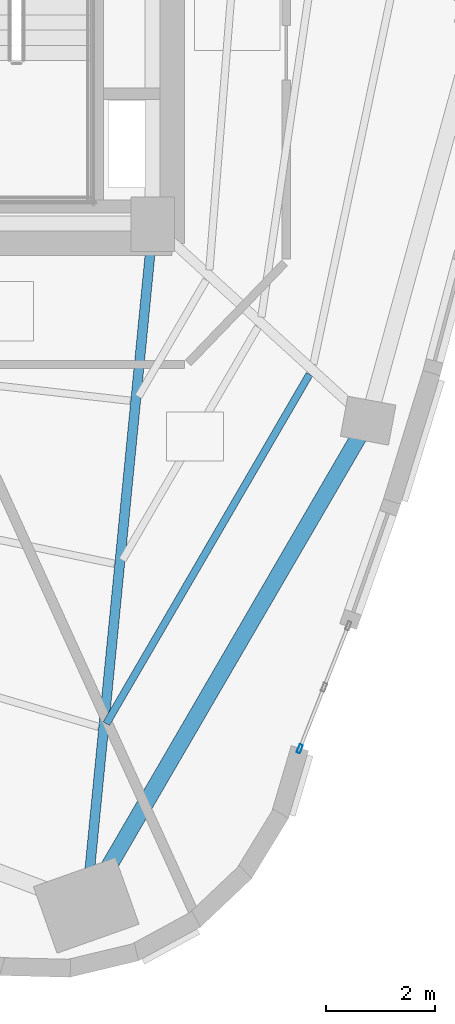
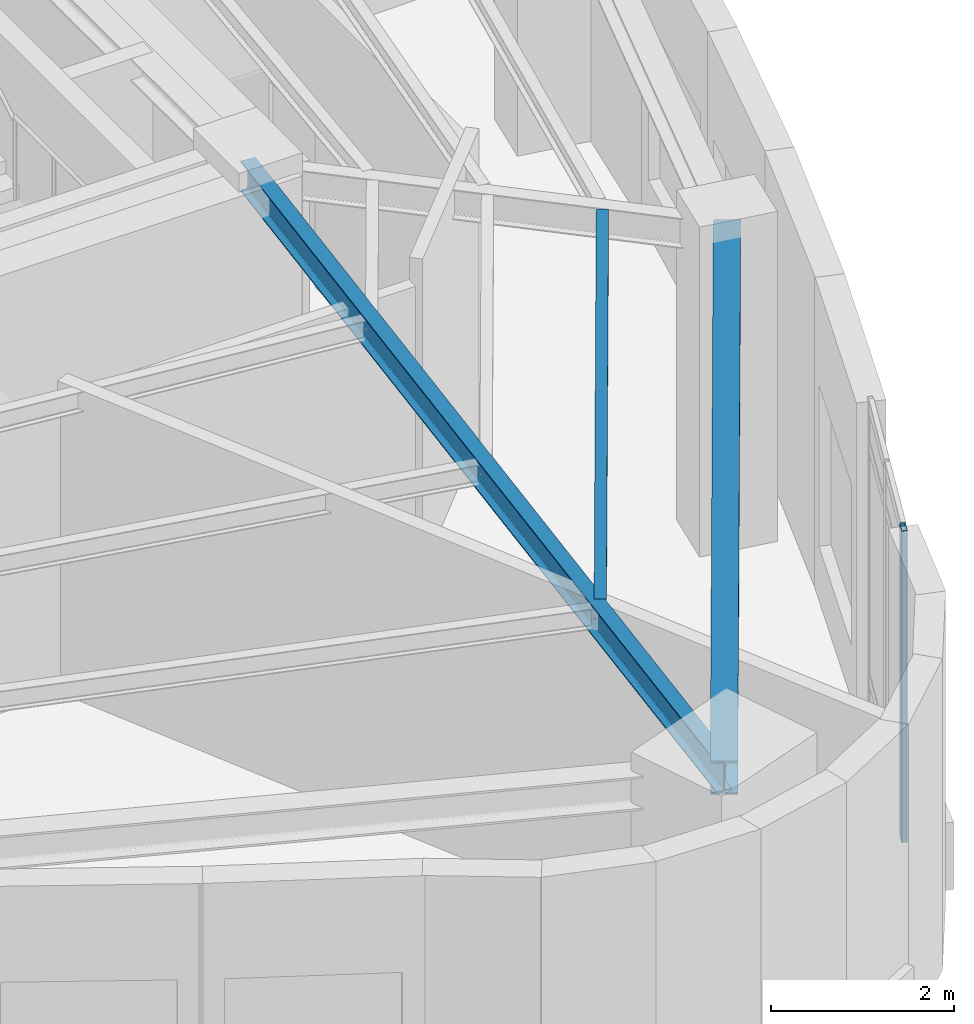
# One storey, part 2 of 13: 3 beams, 1 member, 1 element without a shape of its own.
"""IFC4 building model written with IfcOpenShell, lengths in metres."""

from ifc_helpers import new_model, si_unit, direction, frame, origin, origin_2d, place, context, subcontext, project, spatial, hollow_rectangle, i_section, extrude, material, layer, layer_set, material_profile, profile_set, type_object, element, aggregate, save


model = new_model("IFC4")

# Units and contexts
model_context = context("Model", 3, precision=1e-05, world=origin(), true_north=direction((0.0, 1.0)))
body_context = subcontext(model_context, "Body", "Model", "MODEL_VIEW")
ifc_project = project(units=[si_unit("LENGTHUNIT", "METRE"), si_unit("AREAUNIT", "SQUARE_METRE"), si_unit("VOLUMEUNIT", "CUBIC_METRE"), si_unit("PLANEANGLEUNIT", "RADIAN"), si_unit("MASSUNIT", "GRAM", prefix="KILO")], contexts=[model_context])

# Site, building, storey
site_placement = place(None, origin())
site = spatial("IfcSite", under=ifc_project, at=site_placement, CompositionType="ELEMENT")
building_placement = place(site_placement, origin())
building = spatial("IfcBuilding", under=site, at=building_placement, Name="Ndelora Gate Hotel", CompositionType="ELEMENT")
storey_placement = place(building_placement, frame((0.0, 0.0, 272.800048828125)))
storey = spatial("IfcBuildingStorey", under=building, at=storey_placement, Name="L68", CompositionType="ELEMENT", Elevation=272.800048828125)

# Beams
ifc_material_1 = material(Name="Steel S355", Category="steel")
ifc_material_profile_1 = material_profile(ifc_material_1, i_section(OverallWidth=0.135009765625, OverallDepth=0.27001953125, WebThickness=0.006591796875, FlangeThickness=0.01025390625, FilletRadius=0.014892578125, at=origin_2d()), Name="IPE 270")
ifc_profile_set_1 = profile_set([ifc_material_profile_1], Name="Steel S355")
beam_type_1 = type_object("IfcBeamType", Name="BM-JST-270", PredefinedType="JOIST", material=ifc_profile_set_1)
beam_1_placement = place(storey_placement, frame((7.14208984375, -15.78271484375, 4.014892578125), z_axis=(0.502744947519, 0.864434796699, 0.0), x_axis=(-0.864434796699, 0.502744947519, 0.0)))
element("IfcBeam", 1, at=beam_1_placement, inside=storey, type_object=beam_type_1, Name="L68 Secondary Composite Floor Joist OUT-5", PredefinedType="JOIST", context=body_context, shape_type="SweptSolid", body=[
    extrude(i_section(OverallWidth=0.135009765625, OverallDepth=0.27001953125, WebThickness=0.006591796875, FlangeThickness=0.01025390625, FilletRadius=0.014892578125, at=origin_2d()), origin(), (0.0, 0.0, 1.0), 7.430419921875),
])
ifc_material_profile_2 = material_profile(ifc_material_1, i_section(OverallWidth=0.179931640625, OverallDepth=0.39990234375, WebThickness=0.008544921875, FlangeThickness=0.013427734375, FilletRadius=0.02099609375, at=origin_2d()), Name="IPE 400")
ifc_profile_set_2 = profile_set([ifc_material_profile_2], Name="Steel S355")
beam_type_2 = type_object("IfcBeamType", Name="BM-RAD-400", PredefinedType="BEAM", material=ifc_profile_set_2)
beam_2_placement = place(storey_placement, frame((8.0, -6.60009765625, 3.949951171875), z_axis=(-0.097513783863, -0.995234174432, 0.0), x_axis=(0.995234174432, -0.097513783863, 0.0)))
element("IfcBeam", 2, at=beam_2_placement, inside=storey, type_object=beam_type_2, Name="L68 Radial Floor Girder 5", PredefinedType="BEAM", context=body_context, shape_type="SweptSolid", body=[
    extrude(i_section(OverallWidth=0.179931640625, OverallDepth=0.39990234375, WebThickness=0.008544921875, FlangeThickness=0.013427734375, FilletRadius=0.02099609375, at=origin_2d()), origin(), (0.0, 0.0, 1.0), 12.5859375),
])
ifc_material_profile_3 = material_profile(ifc_material_1, i_section(OverallWidth=0.300048828125, OverallDepth=0.449951171875, WebThickness=0.013916015625, FlangeThickness=0.02587890625, FilletRadius=0.027099609375, at=origin_2d()), Name="HEB 450")
ifc_profile_set_3 = profile_set([ifc_material_profile_3], Name="Steel S355")
beam_type_3 = type_object("IfcBeamType", Name="BM-RING-450", PredefinedType="SPANDREL", material=ifc_profile_set_3)
beam_3_placement = place(storey_placement, frame((6.772705078125, -19.1259765625, 3.925048828125), z_axis=(0.502738555714, 0.864438514065, 0.0), x_axis=(-0.864438514065, 0.502738555714, 0.0)))
element("IfcBeam", 3, at=beam_3_placement, inside=storey, type_object=beam_type_3, Name="L68 Perimeter Spandrel Girder 5", PredefinedType="SPANDREL", context=body_context, shape_type="SweptSolid", body=[
    extrude(i_section(OverallWidth=0.300048828125, OverallDepth=0.449951171875, WebThickness=0.013916015625, FlangeThickness=0.02587890625, FilletRadius=0.027099609375, at=origin_2d()), origin(), (0.0, 0.0, 1.0), 10.311767578125),
])

# Curtain wall, member
ifc_material_2 = material(Name="Bronze Anodised Unitised Aluminium and Low-E Glass", Category="aluminium")
ifc_layer = layer(ifc_material_2, 0.219970703125)
ifc_layer_set = layer_set([ifc_layer], Name="Bronze Anodised Unitised Aluminium and Low-E Glass")
curtain_wall_type = type_object("IfcCurtainWallType", Name="CW-SYS-6", PredefinedType="NOTDEFINED", material=ifc_layer_set)
curtain_wall_placement = place(storey_placement, origin())
curtain_wall = element("IfcCurtainWall", 4, at=curtain_wall_placement, inside=storey, type_object=curtain_wall_type, Name="L68 Crown Sky-Restaurant & Cocktail Bar Curtain Wall 2", PredefinedType="NOTDEFINED")
ifc_material_3 = material(Name="Bronze Anodised Aluminium 6063-T6", Category="aluminium")
ifc_material_profile_4 = material_profile(ifc_material_3, hollow_rectangle(XDim=0.06494140625, YDim=0.159912109375, WallThickness=0.00390625, InnerFilletRadius=0.00390625, OuterFilletRadius=0.008056640625, at=origin_2d()), Name="ALU 160x65x4")
ifc_profile_set_4 = profile_set([ifc_material_profile_4], Name="Bronze Anodised Aluminium 6063-T6")
member_type = type_object("IfcMemberType", Name="MB-CW-MUL150", PredefinedType="MULLION", material=ifc_profile_set_4)
member_placement = place(storey_placement, frame((10.698486328125, -16.24755859375, -0.004150390625), z_axis=(0.0, 0.0, 1.0), x_axis=(-0.929944476416, 0.367699973869, 0.0)))
member = element("IfcMember", 5, at=member_placement, type_object=member_type, Name="CW6 mullion 1", PredefinedType="MULLION", context=body_context, shape_type="SweptSolid", body=[
    extrude(hollow_rectangle(XDim=0.06494140625, YDim=0.159912109375, WallThickness=0.00390625, InnerFilletRadius=0.00390625, OuterFilletRadius=0.008056640625, at=origin_2d()), origin(), (0.0, 0.0, 1.0), 4.158203125),
])
aggregate(curtain_wall, [member])

save(model, "model.ifc")
